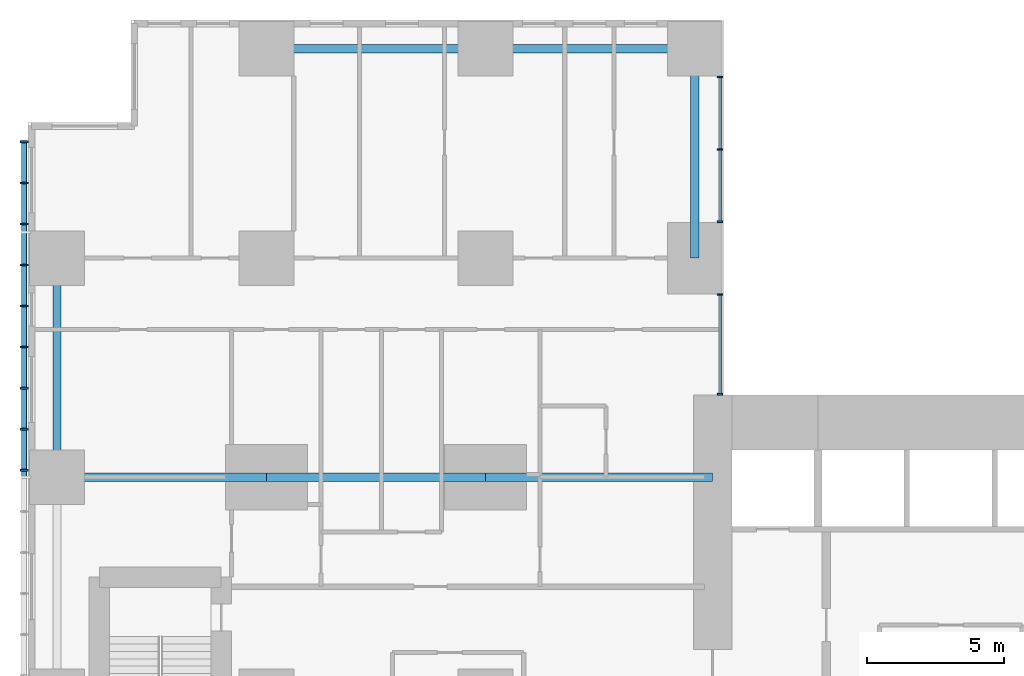
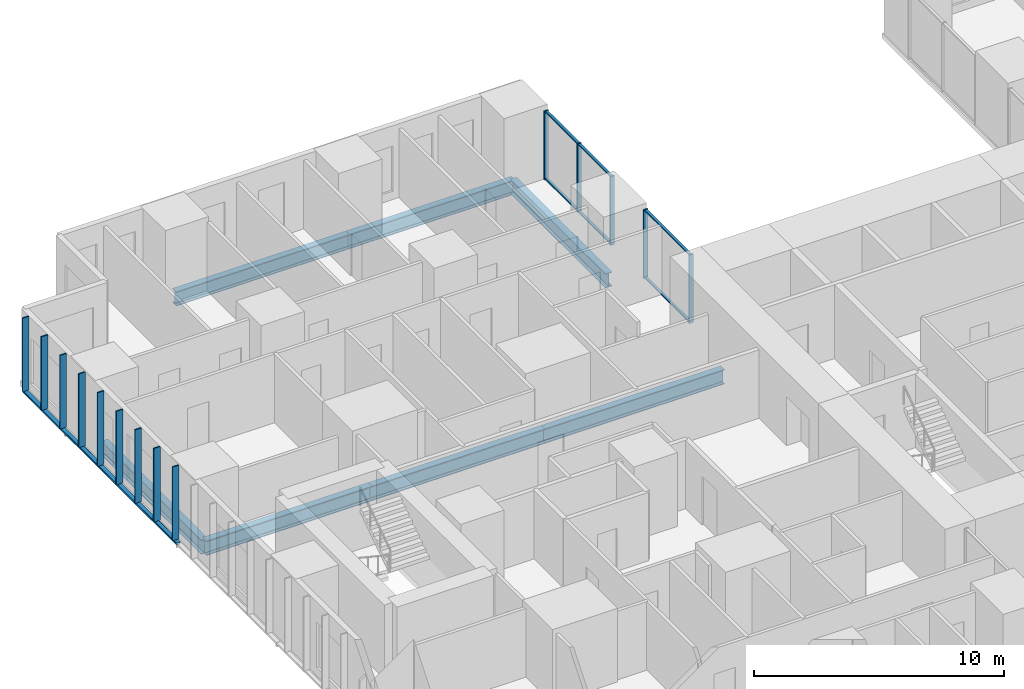
# One storey, part 4 of 20: 21 members, 7 beams, 2 elements without a shape of their own.
"""IFC4 building model written with IfcOpenShell, lengths in metres."""

from ifc_helpers import new_model, si_unit, direction, frame, origin, origin_2d, place, context, subcontext, project, spatial, rectangle, hollow_rectangle, i_section, extrude, material, layer, layer_set, material_profile, profile_set, type_object, element, aggregate, save


model = new_model("IFC4")

# Units and contexts
model_context = context("Model", 3, precision=1e-05, world=origin(), true_north=direction((0.0, 1.0)))
body_context = subcontext(model_context, "Body", "Model", "MODEL_VIEW")
ifc_project = project(units=[si_unit("LENGTHUNIT", "METRE"), si_unit("AREAUNIT", "SQUARE_METRE"), si_unit("VOLUMEUNIT", "CUBIC_METRE"), si_unit("PLANEANGLEUNIT", "RADIAN"), si_unit("MASSUNIT", "GRAM", prefix="KILO")], contexts=[model_context])

# Site, building, storey
site_placement = place(None, origin())
site = spatial("IfcSite", under=ifc_project, at=site_placement, CompositionType="ELEMENT")
building_placement = place(site_placement, origin())
building = spatial("IfcBuilding", under=site, at=building_placement, Name="Cleftline Residences", CompositionType="ELEMENT")
storey_placement = place(building_placement, frame((0.0, 0.0, 99.800048828125)))
storey = spatial("IfcBuildingStorey", under=building, at=storey_placement, Name="L25", CompositionType="ELEMENT", Elevation=99.800048828125)

# Member
ifc_material_1 = material(Name="Steel S355, hot-dip galvanised", Category="steel")
ifc_material_profile_1 = material_profile(ifc_material_1, hollow_rectangle(XDim=0.10009765625, YDim=0.199951171875, WallThickness=0.008056640625, InnerFilletRadius=0.008056640625, OuterFilletRadius=0.011962890625, at=origin_2d()))
ifc_profile_set_1 = profile_set([ifc_material_profile_1], Name="Steel S355, hot-dip galvanised")
member_type_1 = type_object("IfcMemberType", Name="BAGUETTE CARRIER RHS 200X100X8", PredefinedType="USERDEFINED", material=ifc_profile_set_1)
member_1_placement = place(storey_placement, frame((-0.85009765625, 44.300048828125, -0.050048828125), z_axis=(0.0, -1.0, 0.0), x_axis=(0.0, 0.0, 1.0)))
element("IfcMember", 1, at=member_1_placement, inside=storey, type_object=member_type_1, Name="Baguette carrier", ObjectType="BAGUETTE CARRIER", PredefinedType="USERDEFINED", context=body_context, shape_type="SweptSolid", body=[
    extrude(hollow_rectangle(XDim=0.10009765625, YDim=0.199951171875, WallThickness=0.008056640625, InnerFilletRadius=0.008056640625, OuterFilletRadius=0.011962890625, at=origin_2d()), origin(), (0.0, 0.0, 1.0), 12.300048828125),
])

# Beams
ifc_material_2 = material(Name="Steel S355", Category="steel")
ifc_material_profile_2 = material_profile(ifc_material_2, i_section(OverallWidth=0.300048828125, OverallDepth=0.699951171875, WebThickness=0.01708984375, FlangeThickness=0.031982421875, FilletRadius=0.027099609375, at=origin_2d()))
ifc_profile_set_2 = profile_set([ifc_material_profile_2], Name="Steel S355")
beam_type_1 = type_object("IfcBeamType", Name="BEAM HEB 700", PredefinedType="BEAM", material=ifc_profile_set_2)
for number, where, z_axis, x_axis, name in (
    (2, (0.35009765625, 32.0, -0.60009765625), (0.0, 1.0, 0.0), (-1.0, 0.0, 0.0), "Edge beam"),
    (3, (8.0, 47.64990234375, -0.60009765625), (1.0, 0.0, 0.0), (0.0, 1.0, 0.0), "Edge beam"),
):
    element("IfcBeam", number, at=place(storey_placement, frame(where, z_axis=z_axis, x_axis=x_axis)), inside=storey, type_object=beam_type_1, Name=name, PredefinedType="BEAM", context=body_context, shape_type="SweptSolid", body=[
        extrude(i_section(OverallWidth=0.300048828125, OverallDepth=0.699951171875, WebThickness=0.01708984375, FlangeThickness=0.031982421875, FilletRadius=0.027099609375, at=origin_2d()), origin(), (0.0, 0.0, 1.0), 8.0),
    ])
for number, where, z_axis, x_axis, name in (
    (4, (16.0, 47.64990234375, -0.60009765625), (1.0, 0.0, 0.0), (0.0, 1.0, 0.0), "Edge beam"),
    (5, (23.64990234375, 47.64990234375, -0.60009765625), (0.0, -1.0, 0.0), (1.0, 0.0, 0.0), "Edge beam"),
):
    element("IfcBeam", number, at=place(storey_placement, frame(where, z_axis=z_axis, x_axis=x_axis)), inside=storey, type_object=beam_type_1, Name=name, PredefinedType="BEAM", context=body_context, shape_type="SweptSolid", body=[
        extrude(i_section(OverallWidth=0.300048828125, OverallDepth=0.699951171875, WebThickness=0.01708984375, FlangeThickness=0.031982421875, FilletRadius=0.027099609375, at=origin_2d()), origin(), (0.0, 0.0, 1.0), 7.64990234375),
    ])
ifc_material_3 = material(Name="Steel S355", Category="steel")
ifc_material_profile_3 = material_profile(ifc_material_3, i_section(OverallWidth=0.303955078125, OverallDepth=0.716064453125, WebThickness=0.02099609375, FlangeThickness=0.0400390625, FilletRadius=0.027099609375, at=origin_2d()))
ifc_profile_set_3 = profile_set([ifc_material_profile_3], Name="Steel S355")
beam_type_2 = type_object("IfcBeamType", Name="BEAM HEM 700", PredefinedType="BEAM", material=ifc_profile_set_3)
beam_1_placement = place(storey_placement, frame((0.35009765625, 32.0, -0.608154296875), z_axis=(1.0, 0.0, 0.0), x_axis=(0.0, 1.0, 0.0)))
element("IfcBeam", 6, at=beam_1_placement, inside=storey, type_object=beam_type_2, Name="Band beam", PredefinedType="BEAM", context=body_context, shape_type="SweptSolid", body=[
    extrude(i_section(OverallWidth=0.303955078125, OverallDepth=0.716064453125, WebThickness=0.02099609375, FlangeThickness=0.0400390625, FilletRadius=0.027099609375, at=origin_2d()), origin(), (0.0, 0.0, 1.0), 7.64990234375),
])
beam_2_placement = place(storey_placement, frame((8.0, 32.0, -0.608154296875), z_axis=(1.0, 0.0, 0.0), x_axis=(0.0, 1.0, 0.0)))
element("IfcBeam", 7, at=beam_2_placement, inside=storey, type_object=beam_type_2, Name="Band beam", PredefinedType="BEAM", context=body_context, shape_type="SweptSolid", body=[
    extrude(i_section(OverallWidth=0.303955078125, OverallDepth=0.716064453125, WebThickness=0.02099609375, FlangeThickness=0.0400390625, FilletRadius=0.027099609375, at=origin_2d()), origin(), (0.0, 0.0, 1.0), 8.0),
])
beam_3_placement = place(storey_placement, frame((16.0, 32.0, -0.608154296875), z_axis=(1.0, 0.0, 0.0), x_axis=(0.0, 1.0, 0.0)))
element("IfcBeam", 8, at=beam_3_placement, inside=storey, type_object=beam_type_2, Name="Band beam", PredefinedType="BEAM", context=body_context, shape_type="SweptSolid", body=[
    extrude(i_section(OverallWidth=0.303955078125, OverallDepth=0.716064453125, WebThickness=0.02099609375, FlangeThickness=0.0400390625, FilletRadius=0.027099609375, at=origin_2d()), origin(), (0.0, 0.0, 1.0), 8.300048828125),
])

# Curtain wall, members
ifc_material_4 = material(Name="Aluminium framed curtain wall", Category="aluminium")
ifc_layer = layer(ifc_material_4, 0.199951171875)
ifc_layer_set = layer_set([ifc_layer], Name="CW1 CLEFT GLAZING")
curtain_wall_type = type_object("IfcCurtainWallType", Name="CW1 CLEFT GLAZING", PredefinedType="NOTDEFINED", material=ifc_layer_set)
curtain_wall_1_placement = place(storey_placement, origin())
curtain_wall_1 = element("IfcCurtainWall", 9, at=curtain_wall_1_placement, inside=storey, type_object=curtain_wall_type, Name="Curtain wall CW1", PredefinedType="NOTDEFINED")
ifc_material_5 = material(Name="Aluminium mullion", Category="aluminium")
ifc_material_profile_4 = material_profile(ifc_material_5, rectangle(XDim=0.199951171875, YDim=0.06005859375, at=origin_2d()))
ifc_profile_set_4 = profile_set([ifc_material_profile_4], Name="Aluminium mullion")
member_type_2 = type_object("IfcMemberType", Name="CW1 MULLION", PredefinedType="MULLION", material=ifc_profile_set_4)
member_2_placement = place(storey_placement, frame((24.574951171875, 35.030029296875, 0.0), z_axis=(0.0, 0.0, 1.0), x_axis=(-1.0, 0.0, 0.0)))
member_2 = element("IfcMember", 10, at=member_2_placement, type_object=member_type_2, Name="CW1 mullion 1", PredefinedType="MULLION", context=body_context, shape_type="SweptSolid", body=[
    extrude(rectangle(XDim=0.199951171875, YDim=0.06005859375, at=origin_2d()), origin(), (0.0, 0.0, 1.0), 3.349853515625),
])
member_3_placement = place(storey_placement, frame((24.574951171875, 38.669921875, 0.0), z_axis=(0.0, 0.0, 1.0), x_axis=(-1.0, 0.0, 0.0)))
member_3 = element("IfcMember", 11, at=member_3_placement, type_object=member_type_2, Name="CW1 mullion 2", PredefinedType="MULLION", context=body_context, shape_type="SweptSolid", body=[
    extrude(rectangle(XDim=0.199951171875, YDim=0.06005859375, at=origin_2d()), origin(), (0.0, 0.0, 1.0), 3.349853515625),
])

curtain_wall_2_placement = place(storey_placement, origin())
curtain_wall_2 = element("IfcCurtainWall", 12, at=curtain_wall_2_placement, inside=storey, type_object=curtain_wall_type, Name="Curtain wall CW1", PredefinedType="NOTDEFINED")
member_4_placement = place(storey_placement, frame((24.574951171875, 41.330078125, 0.0), z_axis=(0.0, 0.0, 1.0), x_axis=(-1.0, 0.0, 0.0)))
member_4 = element("IfcMember", 13, at=member_4_placement, type_object=member_type_2, Name="CW1 mullion 1", PredefinedType="MULLION", context=body_context, shape_type="SweptSolid", body=[
    extrude(rectangle(XDim=0.199951171875, YDim=0.06005859375, at=origin_2d()), origin(), (0.0, 0.0, 1.0), 3.349853515625),
])
member_5_placement = place(storey_placement, frame((24.574951171875, 43.97509765625, 0.0), z_axis=(0.0, 0.0, 1.0), x_axis=(-1.0, 0.0, 0.0)))
member_5 = element("IfcMember", 14, at=member_5_placement, type_object=member_type_2, Name="CW1 mullion 2", PredefinedType="MULLION", context=body_context, shape_type="SweptSolid", body=[
    extrude(rectangle(XDim=0.199951171875, YDim=0.06005859375, at=origin_2d()), origin(), (0.0, 0.0, 1.0), 3.349853515625),
])
member_6_placement = place(storey_placement, frame((24.574951171875, 46.6201171875, 0.0), z_axis=(0.0, 0.0, 1.0), x_axis=(-1.0, 0.0, 0.0)))
member_6 = element("IfcMember", 15, at=member_6_placement, type_object=member_type_2, Name="CW1 mullion 3", PredefinedType="MULLION", context=body_context, shape_type="SweptSolid", body=[
    extrude(rectangle(XDim=0.199951171875, YDim=0.06005859375, at=origin_2d()), origin(), (0.0, 0.0, 1.0), 3.349853515625),
])

# Member
ifc_material_6 = material(Name="Aluminium transom", Category="aluminium")
ifc_material_profile_5 = material_profile(ifc_material_6, rectangle(XDim=0.1201171875, YDim=0.06005859375, at=origin_2d()))
ifc_profile_set_5 = profile_set([ifc_material_profile_5], Name="Aluminium transom")
member_type_3 = type_object("IfcMemberType", Name="CW1 TRANSOM", PredefinedType="USERDEFINED", material=ifc_profile_set_5)
member_7_placement = place(storey_placement, frame((24.574951171875, 35.06005859375, 0.030029296875), z_axis=(0.0, 1.0, 0.0), x_axis=(-1.0, 0.0, 0.0)))
member_7 = element("IfcMember", 16, at=member_7_placement, type_object=member_type_3, Name="CW1 transom 1.1", ObjectType="TRANSOM", PredefinedType="USERDEFINED", context=body_context, shape_type="SweptSolid", body=[
    extrude(rectangle(XDim=0.1201171875, YDim=0.06005859375, at=origin_2d()), origin(), (0.0, 0.0, 1.0), 3.579833984375),
])

member_8_placement = place(storey_placement, frame((24.574951171875, 35.06005859375, 3.320068359375), z_axis=(0.0, 1.0, 0.0), x_axis=(-1.0, 0.0, 0.0)))
member_8 = element("IfcMember", 17, at=member_8_placement, type_object=member_type_3, Name="CW1 transom 1.2", ObjectType="TRANSOM", PredefinedType="USERDEFINED", context=body_context, shape_type="SweptSolid", body=[
    extrude(rectangle(XDim=0.1201171875, YDim=0.06005859375, at=origin_2d()), origin(), (0.0, 0.0, 1.0), 3.579833984375),
])

aggregate(curtain_wall_1, [member_2, member_3, member_7, member_8])

member_9_placement = place(storey_placement, frame((24.574951171875, 41.360107421875, 0.030029296875), z_axis=(0.0, 1.0, 0.0), x_axis=(-1.0, 0.0, 0.0)))
member_9 = element("IfcMember", 18, at=member_9_placement, type_object=member_type_3, Name="CW1 transom 1.1", ObjectType="TRANSOM", PredefinedType="USERDEFINED", context=body_context, shape_type="SweptSolid", body=[
    extrude(rectangle(XDim=0.1201171875, YDim=0.06005859375, at=origin_2d()), origin(), (0.0, 0.0, 1.0), 2.5849609375),
])

member_10_placement = place(storey_placement, frame((24.574951171875, 41.360107421875, 3.320068359375), z_axis=(0.0, 1.0, 0.0), x_axis=(-1.0, 0.0, 0.0)))
member_10 = element("IfcMember", 19, at=member_10_placement, type_object=member_type_3, Name="CW1 transom 1.2", ObjectType="TRANSOM", PredefinedType="USERDEFINED", context=body_context, shape_type="SweptSolid", body=[
    extrude(rectangle(XDim=0.1201171875, YDim=0.06005859375, at=origin_2d()), origin(), (0.0, 0.0, 1.0), 2.5849609375),
])

member_11_placement = place(storey_placement, frame((24.574951171875, 44.0048828125, 0.030029296875), z_axis=(0.0, 1.0, 0.0), x_axis=(-1.0, 0.0, 0.0)))
member_11 = element("IfcMember", 20, at=member_11_placement, type_object=member_type_3, Name="CW1 transom 2.1", ObjectType="TRANSOM", PredefinedType="USERDEFINED", context=body_context, shape_type="SweptSolid", body=[
    extrude(rectangle(XDim=0.1201171875, YDim=0.06005859375, at=origin_2d()), origin(), (0.0, 0.0, 1.0), 2.585205078125),
])

member_12_placement = place(storey_placement, frame((24.574951171875, 44.0048828125, 3.320068359375), z_axis=(0.0, 1.0, 0.0), x_axis=(-1.0, 0.0, 0.0)))
member_12 = element("IfcMember", 21, at=member_12_placement, type_object=member_type_3, Name="CW1 transom 2.2", ObjectType="TRANSOM", PredefinedType="USERDEFINED", context=body_context, shape_type="SweptSolid", body=[
    extrude(rectangle(XDim=0.1201171875, YDim=0.06005859375, at=origin_2d()), origin(), (0.0, 0.0, 1.0), 2.585205078125),
])

aggregate(curtain_wall_2, [member_4, member_5, member_6, member_9, member_10, member_11, member_12])

# Members
ifc_material_7 = material(Name="Extruded terracotta", Category="masonry")
ifc_material_profile_6 = material_profile(ifc_material_7, rectangle(XDim=0.06005859375, YDim=0.300048828125, at=origin_2d()))
ifc_profile_set_6 = profile_set([ifc_material_profile_6], Name="Extruded terracotta")
member_type_4 = type_object("IfcMemberType", Name="TERRACOTTA BAGUETTE 60X300", PredefinedType="USERDEFINED", material=ifc_profile_set_6)
for number, where, z_axis, x_axis, name in (
    (22, (-0.85009765625, 44.25, 0.0), (0.0, 0.0, 1.0), (0.0, 1.0, 0.0), "Terracotta baguette"),
    (23, (-0.85009765625, 42.75, 0.0), (0.0, 0.0, 1.0), (0.0, 1.0, 0.0), "Terracotta baguette"),
    (24, (-0.85009765625, 41.25, 0.0), (0.0, 0.0, 1.0), (0.0, 1.0, 0.0), "Terracotta baguette"),
    (25, (-0.85009765625, 39.75, 0.0), (0.0, 0.0, 1.0), (0.0, 1.0, 0.0), "Terracotta baguette"),
    (26, (-0.85009765625, 38.25, 0.0), (0.0, 0.0, 1.0), (0.0, 1.0, 0.0), "Terracotta baguette"),
    (27, (-0.85009765625, 36.75, 0.0), (0.0, 0.0, 1.0), (0.0, 1.0, 0.0), "Terracotta baguette"),
    (28, (-0.85009765625, 35.25, 0.0), (0.0, 0.0, 1.0), (0.0, 1.0, 0.0), "Terracotta baguette"),
    (29, (-0.85009765625, 33.75, 0.0), (0.0, 0.0, 1.0), (0.0, 1.0, 0.0), "Terracotta baguette"),
    (30, (-0.85009765625, 32.25, 0.0), (0.0, 0.0, 1.0), (0.0, 1.0, 0.0), "Terracotta baguette"),
):
    element("IfcMember", number, at=place(storey_placement, frame(where, z_axis=z_axis, x_axis=x_axis)), inside=storey, type_object=member_type_4, Name=name, ObjectType="BAGUETTE", PredefinedType="USERDEFINED", context=body_context, shape_type="SweptSolid", body=[
        extrude(rectangle(XDim=0.06005859375, YDim=0.300048828125, at=origin_2d()), origin(), (0.0, 0.0, 1.0), 3.599853515625),
    ])

save(model, "model.ifc")
